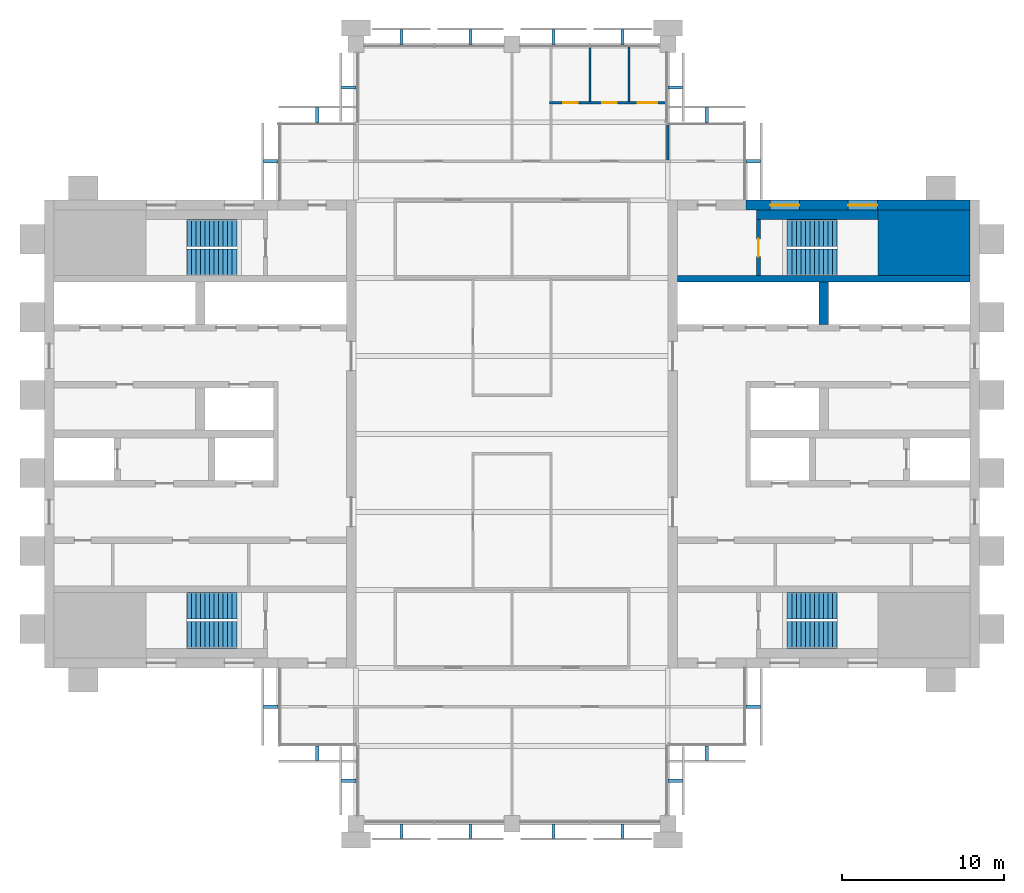
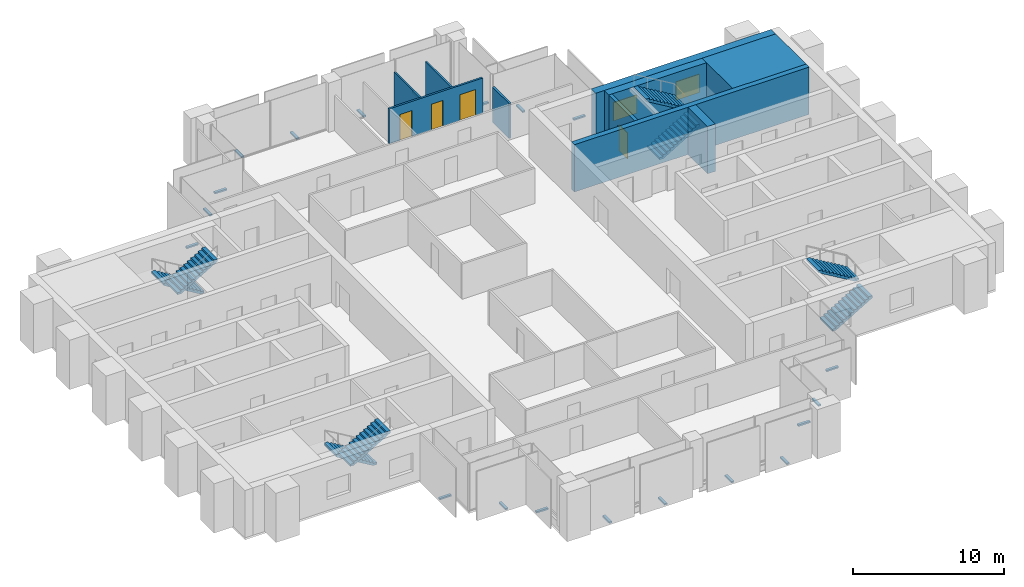
# One storey, part 11 of 12: 20 discrete accessories, 10 walls, 8 stair flights, 4 doors, 2 windows, 6 openings, 4 elements without a shape of their own.
"""IFC4 building model written with IfcOpenShell, lengths in metres."""

from ifc_helpers import new_model, si_unit, direction, frame, frame_2d, origin, origin_2d, place, context, subcontext, project, spatial, polyline, rectangle, outline, extrude, material, layer, layer_set, type_object, element, fill, aggregate, save


model = new_model("IFC4")

# Units and contexts
model_context = context("Model", 3, precision=1e-05, world=origin(), true_north=direction((0.0, 1.0)))
body_context = subcontext(model_context, "Body", "Model", "MODEL_VIEW")
ifc_project = project(units=[si_unit("LENGTHUNIT", "METRE"), si_unit("AREAUNIT", "SQUARE_METRE"), si_unit("VOLUMEUNIT", "CUBIC_METRE"), si_unit("PLANEANGLEUNIT", "RADIAN"), si_unit("MASSUNIT", "GRAM", prefix="KILO")], contexts=[model_context])

# Site, building, storey
site_placement = place(None, origin())
site = spatial("IfcSite", under=ifc_project, at=site_placement, CompositionType="ELEMENT")
building_placement = place(site_placement, origin())
building = spatial("IfcBuilding", under=site, at=building_placement, Name="Baori Bourse Tower", CompositionType="ELEMENT")
storey_placement = place(building_placement, frame((0.0, 0.0, 298.300048828125)))
storey = spatial("IfcBuildingStorey", under=building, at=storey_placement, Name="L65", CompositionType="ELEMENT", Elevation=298.300048828125)

# Wall
ifc_material_1 = material(Name="Concrete f'c 40 MPa", Category="concrete")
wall_type_1 = type_object("IfcWallType", Name="Core corner block f'c 40", PredefinedType="SHEAR", material=ifc_material_1)
wall_1_placement = place(storey_placement, frame((51.35009765625, 35.77490234375, 0.0), z_axis=(0.0, 0.0, 1.0), x_axis=(1.0, 0.0, 0.0)))
element("IfcWall", 1, at=wall_1_placement, inside=storey, type_object=wall_type_1, Name="Core wall E22", PredefinedType="SHEAR", context=body_context, shape_type="SweptSolid", body=[
    extrude(rectangle(XDim=5.64990234375, YDim=4.050048828125, at=frame_2d((2.824951171875, 0.0))), origin(), (0.0, 0.0, 1.0), 3.83984375),
])

# Wall, openings, windows
ifc_material_2 = material(Name="Concrete f'c 40 MPa", Category="concrete")
ifc_layer_1 = layer(ifc_material_2, 0.60009765625)
ifc_layer_set_1 = layer_set([ifc_layer_1], Name="Core wall 600 f'c 40")
wall_type_2 = type_object("IfcWallType", Name="Core wall 600 f'c 40", PredefinedType="SHEAR", material=ifc_layer_set_1)
wall_2_placement = place(storey_placement, frame((43.199951171875, 38.10009765625, 0.0), z_axis=(0.0, 0.0, 1.0), x_axis=(1.0, 0.0, 0.0)))
wall_2 = element("IfcWall", 2, at=wall_2_placement, inside=storey, type_object=wall_type_2, Name="Core wall E25", PredefinedType="SHEAR", context=body_context, shape_type="SweptSolid", body=[
    extrude(rectangle(XDim=13.800048828125, YDim=0.60009765625, at=frame_2d((6.89990234375, 0.0))), origin(), (0.0, 0.0, 1.0), 3.83984375),
])
opening_1_placement = place(wall_2_placement, frame((6.300048828125, 0.0, 0.89990234375)))
opening_1 = element("IfcOpeningElement", 3, at=opening_1_placement, cuts=wall_2, Name="Opening L65-KW205", PredefinedType="OPENING", context=body_context, shape_type="SweptSolid", body=[
    extrude(rectangle(XDim=1.800048828125, YDim=1.5, at=frame_2d((0.89990234375, 0.75))), frame((0.0, 0.31005859375, 0.0), z_axis=(0.0, -1.0, 0.0), x_axis=(1.0, 0.0, 0.0)), (0.0, 0.0, 1.0), 0.6201171875),
])
opening_2_placement = place(wall_2_placement, frame((1.5, 0.0, 0.89990234375)))
opening_2 = element("IfcOpeningElement", 4, at=opening_2_placement, cuts=wall_2, Name="Opening L65-KW206", PredefinedType="OPENING", context=body_context, shape_type="SweptSolid", body=[
    extrude(rectangle(XDim=1.800048828125, YDim=1.5, at=frame_2d((0.89990234375, 0.75))), frame((0.0, 0.31005859375, 0.0), z_axis=(0.0, -1.0, 0.0), x_axis=(1.0, 0.0, 0.0)), (0.0, 0.0, 1.0), 0.6201171875),
])
ifc_material_3 = material(Name="Pale anodised aluminium", Category="aluminium")
window_type = type_object("IfcWindowType", Name="Stair window 1800 x 1500", PartitioningType="SINGLE_PANEL", PredefinedType="WINDOW", material=ifc_material_3)
window_1_placement = place(opening_1_placement, origin())
window_1 = element("IfcWindow", 5, at=window_1_placement, inside=storey, type_object=window_type, Name="Stair window E L65 5", OverallHeight=1.5, OverallWidth=1.800048828125, PartitioningType="SINGLE_PANEL", PredefinedType="WINDOW", context=body_context, shape_type="SweptSolid", body=[
    extrude(rectangle(XDim=1.800048828125, YDim=1.5, at=frame_2d((0.89990234375, 0.75))), frame((0.0, 0.030029296875, 0.0), z_axis=(0.0, -1.0, 0.0), x_axis=(1.0, 0.0, 0.0)), (0.0, 0.0, 1.0), 0.06005859375),
])
fill(opening_1, window_1)
window_2_placement = place(opening_2_placement, origin())
window_2 = element("IfcWindow", 6, at=window_2_placement, inside=storey, type_object=window_type, Name="Stair window E L65 6", OverallHeight=1.5, OverallWidth=1.800048828125, PartitioningType="SINGLE_PANEL", PredefinedType="WINDOW", context=body_context, shape_type="SweptSolid", body=[
    extrude(rectangle(XDim=1.800048828125, YDim=1.5, at=frame_2d((0.89990234375, 0.75))), frame((0.0, 0.030029296875, 0.0), z_axis=(0.0, -1.0, 0.0), x_axis=(1.0, 0.0, 0.0)), (0.0, 0.0, 1.0), 0.06005859375),
])
fill(opening_2, window_2)

# Wall, openings, doors
ifc_material_4 = material(Name="Gypsum board partition")
ifc_layer_2 = layer(ifc_material_4, 0.14990234375)
ifc_layer_set_2 = layer_set([ifc_layer_2], Name="Corridor partition 150")
wall_type_3 = type_object("IfcWallType", Name="Corridor partition 150", PredefinedType="PARTITIONING", material=ifc_layer_set_2)
wall_3_placement = place(storey_placement, frame((31.125, 44.39990234375, 0.0), z_axis=(0.0, 0.0, 1.0), x_axis=(1.0, 0.0, 0.0)))
wall_3 = element("IfcWall", 7, at=wall_3_placement, inside=storey, type_object=wall_type_3, Name="Partition", PredefinedType="PARTITIONING", context=body_context, shape_type="SweptSolid", body=[
    extrude(rectangle(XDim=7.175048828125, YDim=0.14990234375, at=frame_2d((3.58740234375, 0.0))), origin(), (0.0, 0.0, 1.0), 2.849365234375),
])
opening_3_placement = place(wall_3_placement, frame((0.824951171875, 0.0, 0.0)))
opening_3 = element("IfcOpeningElement", 8, at=opening_3_placement, cuts=wall_3, Name="Opening L65-D13", PredefinedType="OPENING", context=body_context, shape_type="SweptSolid", body=[
    extrude(rectangle(XDim=0.89990234375, YDim=2.10009765625, at=frame_2d((0.449951171875, 1.050048828125))), frame((0.0, 0.0849609375, 0.0), z_axis=(0.0, -1.0, 0.0), x_axis=(1.0, 0.0, 0.0)), (0.0, 0.0, 1.0), 0.169921875),
])
opening_4_placement = place(wall_3_placement, frame((3.22509765625, 0.0, 0.0)))
opening_4 = element("IfcOpeningElement", 9, at=opening_4_placement, cuts=wall_3, Name="Opening L65-D14", PredefinedType="OPENING", context=body_context, shape_type="SweptSolid", body=[
    extrude(rectangle(XDim=0.89990234375, YDim=2.10009765625, at=frame_2d((0.449951171875, 1.050048828125))), frame((0.0, 0.0849609375, 0.0), z_axis=(0.0, -1.0, 0.0), x_axis=(1.0, 0.0, 0.0)), (0.0, 0.0, 1.0), 0.169921875),
])
opening_5_placement = place(wall_3_placement, frame((5.425048828125, 0.0, 0.0)))
opening_5 = element("IfcOpeningElement", 10, at=opening_5_placement, cuts=wall_3, Name="Opening L65-D15", PredefinedType="OPENING", context=body_context, shape_type="SweptSolid", body=[
    extrude(rectangle(XDim=1.199951171875, YDim=2.10009765625, at=frame_2d((0.60009765625, 1.050048828125))), frame((0.0, 0.0849609375, 0.0), z_axis=(0.0, -1.0, 0.0), x_axis=(1.0, 0.0, 0.0)), (0.0, 0.0, 1.0), 0.169921875),
])
ifc_material_5 = material(Name="Timber door leaf", Category="wood")
door_type_1 = type_object("IfcDoorType", Name="Door 1200 x 2100", OperationType="SINGLE_SWING_LEFT", PredefinedType="DOOR", material=ifc_material_5)
door_1_placement = place(opening_5_placement, origin())
door_1 = element("IfcDoor", 11, at=door_1_placement, inside=storey, type_object=door_type_1, Name="Door", OperationType="SINGLE_SWING_LEFT", OverallHeight=2.10009765625, OverallWidth=1.199951171875, PredefinedType="DOOR", context=body_context, shape_type="SweptSolid", body=[
    extrude(rectangle(XDim=1.199951171875, YDim=2.10009765625, at=frame_2d((0.60009765625, 1.050048828125))), frame((0.0, 0.02490234375, 0.0), z_axis=(0.0, -1.0, 0.0), x_axis=(1.0, 0.0, 0.0)), (0.0, 0.0, 1.0), 0.050048828125),
])
fill(opening_5, door_1)
ifc_material_6 = material(Name="Timber door leaf", Category="wood")
door_type_2 = type_object("IfcDoorType", Name="Door 900 x 2100", OperationType="SINGLE_SWING_LEFT", PredefinedType="DOOR", material=ifc_material_6)
door_2_placement = place(opening_3_placement, origin())
door_2 = element("IfcDoor", 12, at=door_2_placement, inside=storey, type_object=door_type_2, Name="Door", OperationType="SINGLE_SWING_RIGHT", OverallHeight=2.10009765625, OverallWidth=0.89990234375, PredefinedType="DOOR", context=body_context, shape_type="SweptSolid", body=[
    extrude(rectangle(XDim=0.89990234375, YDim=2.10009765625, at=frame_2d((0.449951171875, 1.050048828125))), frame((0.0, 0.02490234375, 0.0), z_axis=(0.0, -1.0, 0.0), x_axis=(1.0, 0.0, 0.0)), (0.0, 0.0, 1.0), 0.050048828125),
])
fill(opening_3, door_2)
door_3_placement = place(opening_4_placement, origin())
door_3 = element("IfcDoor", 13, at=door_3_placement, inside=storey, type_object=door_type_2, Name="Door", OperationType="SINGLE_SWING_LEFT", OverallHeight=2.10009765625, OverallWidth=0.89990234375, PredefinedType="DOOR", context=body_context, shape_type="SweptSolid", body=[
    extrude(rectangle(XDim=0.89990234375, YDim=2.10009765625, at=frame_2d((0.449951171875, 1.050048828125))), frame((0.0, 0.02490234375, 0.0), z_axis=(0.0, -1.0, 0.0), x_axis=(1.0, 0.0, 0.0)), (0.0, 0.0, 1.0), 0.050048828125),
])
fill(opening_4, door_3)

# Walls
wall_4_placement = place(storey_placement, frame((38.39990234375, 40.875, 0.0), z_axis=(0.0, 0.0, 1.0), x_axis=(0.0, 1.0, 0.0)))
element("IfcWall", 14, at=wall_4_placement, inside=storey, type_object=wall_type_3, Name="Partition", PredefinedType="PARTITIONING", context=body_context, shape_type="SweptSolid", body=[
    extrude(rectangle(XDim=2.22509765625, YDim=0.14990234375, at=frame_2d((1.112548828125, 0.0))), origin(), (0.0, 0.0, 1.0), 2.849365234375),
])
ifc_material_7 = material(Name="Gypsum board partition")
ifc_layer_3 = layer(ifc_material_7, 0.125)
ifc_layer_set_3 = layer_set([ifc_layer_3], Name="Partition 125")
wall_type_4 = type_object("IfcWallType", Name="Partition 125", PredefinedType="PARTITIONING", material=ifc_layer_set_3)
for number, where, z_axis, x_axis, name in (
    (15, (33.60009765625, 44.47509765625, 0.0), (0.0, 0.0, 1.0), (0.0, 1.0, 0.0), "Partition"),
    (16, (36.0, 44.47509765625, 0.0), (0.0, 0.0, 1.0), (0.0, 1.0, 0.0), "Partition"),
):
    element("IfcWall", number, at=place(storey_placement, frame(where, z_axis=z_axis, x_axis=x_axis)), inside=storey, type_object=wall_type_4, Name=name, PredefinedType="PARTITIONING", context=body_context, shape_type="SweptSolid", body=[
        extrude(rectangle(XDim=3.4248046875, YDim=0.125, at=frame_2d((1.71240234375, 0.0))), origin(), (0.0, 0.0, 1.0), 2.849365234375),
    ])

# Wall, opening, door
ifc_material_8 = material(Name="Concrete f'c 40 MPa", Category="concrete")
ifc_layer_4 = layer(ifc_material_8, 0.25)
ifc_layer_set_4 = layer_set([ifc_layer_4], Name="Shaft wall 250 f'c 40")
wall_type_5 = type_object("IfcWallType", Name="Shaft wall 250 f'c 40", PredefinedType="SHEAR", material=ifc_layer_set_4)
wall_5_placement = place(storey_placement, frame((43.97509765625, 33.75, 0.0), z_axis=(0.0, 0.0, 1.0), x_axis=(0.0, 1.0, 0.0)))
wall_5 = element("IfcWall", 17, at=wall_5_placement, inside=storey, type_object=wall_type_5, Name="Core wall E23", PredefinedType="SHEAR", context=body_context, shape_type="SweptSolid", body=[
    extrude(rectangle(XDim=3.449951171875, YDim=0.25, at=frame_2d((1.72509765625, 0.0))), origin(), (0.0, 0.0, 1.0), 3.83984375),
])
opening_6_placement = place(wall_5_placement, frame((1.175048828125, 0.0, 0.0)))
opening_6 = element("IfcOpeningElement", 18, at=opening_6_placement, cuts=wall_5, Name="Opening L65-D203", PredefinedType="OPENING", context=body_context, shape_type="SweptSolid", body=[
    extrude(rectangle(XDim=1.10009765625, YDim=2.10009765625, at=frame_2d((0.550048828125, 1.050048828125))), frame((0.0, 0.135009765625, 0.0), z_axis=(0.0, -1.0, 0.0), x_axis=(1.0, 0.0, 0.0)), (0.0, 0.0, 1.0), 0.27001953125),
])
ifc_material_9 = material(Name="Painted steel door", Category="steel")
door_type_3 = type_object("IfcDoorType", Name="Stair door 1100", OperationType="SINGLE_SWING_LEFT", PredefinedType="DOOR", material=ifc_material_9)
door_4_placement = place(opening_6_placement, origin())
door_4 = element("IfcDoor", 19, at=door_4_placement, inside=storey, type_object=door_type_3, Name="Stair door B E L65", OperationType="SINGLE_SWING_LEFT", OverallHeight=2.10009765625, OverallWidth=1.10009765625, PredefinedType="DOOR", context=body_context, shape_type="SweptSolid", body=[
    extrude(rectangle(XDim=1.10009765625, YDim=2.10009765625, at=frame_2d((0.550048828125, 1.050048828125))), frame((0.0, 0.02490234375, 0.0), z_axis=(0.0, -1.0, 0.0), x_axis=(1.0, 0.0, 0.0)), (0.0, 0.0, 1.0), 0.050048828125),
])
fill(opening_6, door_4)

# Walls
ifc_material_10 = material(Name="Concrete f'c 40 MPa", Category="concrete")
ifc_layer_5 = layer(ifc_material_10, 0.39990234375)
ifc_layer_set_5 = layer_set([ifc_layer_5], Name="Shaft wall 400 f'c 40")
wall_type_6 = type_object("IfcWallType", Name="Shaft wall 400 f'c 40", PredefinedType="SHEAR", material=ifc_layer_set_5)
wall_6_placement = place(storey_placement, frame((39.0, 33.550048828125, 0.0), z_axis=(0.0, 0.0, 1.0), x_axis=(1.0, 0.0, 0.0)))
element("IfcWall", 20, at=wall_6_placement, inside=storey, type_object=wall_type_6, Name="Core wall E21", PredefinedType="SHEAR", context=body_context, shape_type="SweptSolid", body=[
    extrude(rectangle(XDim=18.0, YDim=0.39990234375, at=frame_2d((9.0, 0.0))), origin(), (0.0, 0.0, 1.0), 3.83984375),
])
ifc_material_11 = material(Name="Concrete f'c 40 MPa", Category="concrete")
ifc_layer_6 = layer(ifc_material_11, 0.60009765625)
ifc_layer_set_6 = layer_set([ifc_layer_6], Name="Shaft wall 600 f'c 40")
wall_type_7 = type_object("IfcWallType", Name="Shaft wall 600 f'c 40", PredefinedType="SHEAR", material=ifc_layer_set_6)
wall_7_placement = place(storey_placement, frame((48.0, 30.75, 0.0), z_axis=(0.0, 0.0, 1.0), x_axis=(0.0, 1.0, 0.0)))
element("IfcWall", 21, at=wall_7_placement, inside=storey, type_object=wall_type_7, Name="Core wall E20", PredefinedType="SHEAR", context=body_context, shape_type="SweptSolid", body=[
    extrude(rectangle(XDim=2.60009765625, YDim=0.60009765625, at=frame_2d((1.300048828125, 0.0))), origin(), (0.0, 0.0, 1.0), 3.83984375),
])
wall_8_placement = place(storey_placement, frame((43.85009765625, 37.5, 0.0), z_axis=(0.0, 0.0, 1.0), x_axis=(1.0, 0.0, 0.0)))
element("IfcWall", 22, at=wall_8_placement, inside=storey, type_object=wall_type_7, Name="Core wall E24", PredefinedType="SHEAR", context=body_context, shape_type="SweptSolid", body=[
    extrude(rectangle(XDim=7.5, YDim=0.60009765625, at=frame_2d((3.75, 0.0))), origin(), (0.0, 0.0, 1.0), 3.83984375),
])

# Stair, stair flights
ifc_material_12 = material(Name="Concrete f'c 50 MPa", Category="concrete")
stair_type = type_object("IfcStairType", Name="Core stair", PredefinedType="HALF_TURN_STAIR", material=ifc_material_12)
stair_1_placement = place(storey_placement, origin())
stair_1 = element("IfcStair", 23, at=stair_1_placement, inside=storey, type_object=stair_type, Name="L65 Stair WA", PredefinedType="HALF_TURN_STAIR")
ifc_material_13 = material(Name="Concrete f'c 50 MPa", Category="concrete")
stair_flight_type = type_object("IfcStairFlightType", Name="Core stair flight", PredefinedType="STRAIGHT", material=ifc_material_13)
stair_flight_1_placement = place(storey_placement, frame((11.85009765625, 13.425048828125, 0.0), z_axis=(0.0, 0.0, 1.0), x_axis=(-1.0, 0.0, 0.0)))
stair_flight_1 = element("IfcStairFlight", 24, at=stair_flight_1_placement, type_object=stair_flight_type, Name="ST1 flight 1", NumberOfRisers=12, NumberOfTreads=11, PredefinedType="STRAIGHT", RiserHeight=0.166666667, TreadLength=0.28, context=body_context, shape_type="SweptSolid", body=[
    extrude(outline(polyline([(0.0, 0.0), (0.0, 0.166748046875), (0.280029296875, 0.166748046875), (0.280029296875, 0.333251953125), (0.56005859375, 0.333251953125), (0.56005859375, 0.5), (0.840087890625, 0.5), (0.840087890625, 0.666748046875), (1.1201171875, 0.666748046875), (1.1201171875, 0.833251953125), (1.39990234375, 0.833251953125), (1.39990234375, 1.0), (1.679931640625, 1.0), (1.679931640625, 1.166748046875), (1.9599609375, 1.166748046875), (1.9599609375, 1.333251953125), (2.239990234375, 1.333251953125), (2.239990234375, 1.5), (2.52001953125, 1.5), (2.52001953125, 1.666748046875), (2.800048828125, 1.666748046875), (2.800048828125, 1.833251953125), (3.080078125, 1.833251953125), (3.080078125, 2.0), (3.080078125, 1.658935546875), (0.29296875, 0.0), (0.0, 0.0)])), frame((0.0, 0.824951171875, 0.0), z_axis=(0.0, -1.0, 0.0), x_axis=(1.0, 0.0, 0.0)), (0.0, 0.0, 1.0), 1.64990234375),
])
stair_flight_2_placement = place(storey_placement, frame((8.77001953125, 11.625, 2.0), z_axis=(0.0, 0.0, 1.0), x_axis=(1.0, 0.0, 0.0)))
stair_flight_2 = element("IfcStairFlight", 25, at=stair_flight_2_placement, type_object=stair_flight_type, Name="ST1 flight 2", NumberOfRisers=12, NumberOfTreads=11, PredefinedType="STRAIGHT", RiserHeight=0.166666667, TreadLength=0.28, context=body_context, shape_type="SweptSolid", body=[
    extrude(outline(polyline([(0.0, 0.0), (0.0, 0.166748046875), (0.280029296875, 0.166748046875), (0.280029296875, 0.333251953125), (0.56005859375, 0.333251953125), (0.56005859375, 0.5), (0.840087890625, 0.5), (0.840087890625, 0.666748046875), (1.1201171875, 0.666748046875), (1.1201171875, 0.833251953125), (1.39990234375, 0.833251953125), (1.39990234375, 1.0), (1.679931640625, 1.0), (1.679931640625, 1.166748046875), (1.9599609375, 1.166748046875), (1.9599609375, 1.333251953125), (2.239990234375, 1.333251953125), (2.239990234375, 1.5), (2.52001953125, 1.5), (2.52001953125, 1.666748046875), (2.800048828125, 1.666748046875), (2.800048828125, 1.833251953125), (3.080078125, 1.833251953125), (3.080078125, 2.0), (3.080078125, 1.658935546875), (0.29296875, 0.0), (0.0, 0.0)])), frame((0.0, 0.824951171875, 0.0), z_axis=(0.0, -1.0, 0.0), x_axis=(1.0, 0.0, 0.0)), (0.0, 0.0, 1.0), 1.64990234375),
])
aggregate(stair_1, [stair_flight_1, stair_flight_2])

stair_2_placement = place(storey_placement, origin())
stair_2 = element("IfcStair", 26, at=stair_2_placement, inside=storey, type_object=stair_type, Name="L65 Stair WB", PredefinedType="HALF_TURN_STAIR")
stair_flight_3_placement = place(storey_placement, frame((11.85009765625, 36.375, 0.0), z_axis=(0.0, 0.0, 1.0), x_axis=(-1.0, 0.0, 0.0)))
stair_flight_3 = element("IfcStairFlight", 27, at=stair_flight_3_placement, type_object=stair_flight_type, Name="ST2 flight 1", NumberOfRisers=12, NumberOfTreads=11, PredefinedType="STRAIGHT", RiserHeight=0.166666667, TreadLength=0.28, context=body_context, shape_type="SweptSolid", body=[
    extrude(outline(polyline([(0.0, 0.0), (0.0, 0.166748046875), (0.280029296875, 0.166748046875), (0.280029296875, 0.333251953125), (0.56005859375, 0.333251953125), (0.56005859375, 0.5), (0.840087890625, 0.5), (0.840087890625, 0.666748046875), (1.1201171875, 0.666748046875), (1.1201171875, 0.833251953125), (1.39990234375, 0.833251953125), (1.39990234375, 1.0), (1.679931640625, 1.0), (1.679931640625, 1.166748046875), (1.9599609375, 1.166748046875), (1.9599609375, 1.333251953125), (2.239990234375, 1.333251953125), (2.239990234375, 1.5), (2.52001953125, 1.5), (2.52001953125, 1.666748046875), (2.800048828125, 1.666748046875), (2.800048828125, 1.833251953125), (3.080078125, 1.833251953125), (3.080078125, 2.0), (3.080078125, 1.658935546875), (0.29296875, 0.0), (0.0, 0.0)])), frame((0.0, 0.824951171875, 0.0), z_axis=(0.0, -1.0, 0.0), x_axis=(1.0, 0.0, 0.0)), (0.0, 0.0, 1.0), 1.64990234375),
])
stair_flight_4_placement = place(storey_placement, frame((8.77001953125, 34.574951171875, 2.0), z_axis=(0.0, 0.0, 1.0), x_axis=(1.0, 0.0, 0.0)))
stair_flight_4 = element("IfcStairFlight", 28, at=stair_flight_4_placement, type_object=stair_flight_type, Name="ST2 flight 2", NumberOfRisers=12, NumberOfTreads=11, PredefinedType="STRAIGHT", RiserHeight=0.166666667, TreadLength=0.28, context=body_context, shape_type="SweptSolid", body=[
    extrude(outline(polyline([(0.0, 0.0), (0.0, 0.166748046875), (0.280029296875, 0.166748046875), (0.280029296875, 0.333251953125), (0.56005859375, 0.333251953125), (0.56005859375, 0.5), (0.840087890625, 0.5), (0.840087890625, 0.666748046875), (1.1201171875, 0.666748046875), (1.1201171875, 0.833251953125), (1.39990234375, 0.833251953125), (1.39990234375, 1.0), (1.679931640625, 1.0), (1.679931640625, 1.166748046875), (1.9599609375, 1.166748046875), (1.9599609375, 1.333251953125), (2.239990234375, 1.333251953125), (2.239990234375, 1.5), (2.52001953125, 1.5), (2.52001953125, 1.666748046875), (2.800048828125, 1.666748046875), (2.800048828125, 1.833251953125), (3.080078125, 1.833251953125), (3.080078125, 2.0), (3.080078125, 1.658935546875), (0.29296875, 0.0), (0.0, 0.0)])), frame((0.0, 0.824951171875, 0.0), z_axis=(0.0, -1.0, 0.0), x_axis=(1.0, 0.0, 0.0)), (0.0, 0.0, 1.0), 1.64990234375),
])
aggregate(stair_2, [stair_flight_3, stair_flight_4])

stair_3_placement = place(storey_placement, origin())
stair_3 = element("IfcStair", 29, at=stair_3_placement, inside=storey, type_object=stair_type, Name="L65 Stair EA", PredefinedType="HALF_TURN_STAIR")
stair_flight_5_placement = place(storey_placement, frame((45.75, 11.625, 0.0), z_axis=(0.0, 0.0, 1.0), x_axis=(1.0, 0.0, 0.0)))
stair_flight_5 = element("IfcStairFlight", 30, at=stair_flight_5_placement, type_object=stair_flight_type, Name="ST3 flight 1", NumberOfRisers=12, NumberOfTreads=11, PredefinedType="STRAIGHT", RiserHeight=0.166666667, TreadLength=0.28, context=body_context, shape_type="SweptSolid", body=[
    extrude(outline(polyline([(0.0, 0.0), (0.0, 0.166748046875), (0.280029296875, 0.166748046875), (0.280029296875, 0.333251953125), (0.56005859375, 0.333251953125), (0.56005859375, 0.5), (0.840087890625, 0.5), (0.840087890625, 0.666748046875), (1.1201171875, 0.666748046875), (1.1201171875, 0.833251953125), (1.39990234375, 0.833251953125), (1.39990234375, 1.0), (1.679931640625, 1.0), (1.679931640625, 1.166748046875), (1.9599609375, 1.166748046875), (1.9599609375, 1.333251953125), (2.239990234375, 1.333251953125), (2.239990234375, 1.5), (2.52001953125, 1.5), (2.52001953125, 1.666748046875), (2.800048828125, 1.666748046875), (2.800048828125, 1.833251953125), (3.080078125, 1.833251953125), (3.080078125, 2.0), (3.080078125, 1.658935546875), (0.29296875, 0.0), (0.0, 0.0)])), frame((0.0, 0.824951171875, 0.0), z_axis=(0.0, -1.0, 0.0), x_axis=(1.0, 0.0, 0.0)), (0.0, 0.0, 1.0), 1.64990234375),
])
stair_flight_6_placement = place(storey_placement, frame((48.830078125, 13.425048828125, 2.0), z_axis=(0.0, 0.0, 1.0), x_axis=(-1.0, 0.0, 0.0)))
stair_flight_6 = element("IfcStairFlight", 31, at=stair_flight_6_placement, type_object=stair_flight_type, Name="ST3 flight 2", NumberOfRisers=12, NumberOfTreads=11, PredefinedType="STRAIGHT", RiserHeight=0.166666667, TreadLength=0.28, context=body_context, shape_type="SweptSolid", body=[
    extrude(outline(polyline([(0.0, 0.0), (0.0, 0.166748046875), (0.280029296875, 0.166748046875), (0.280029296875, 0.333251953125), (0.56005859375, 0.333251953125), (0.56005859375, 0.5), (0.840087890625, 0.5), (0.840087890625, 0.666748046875), (1.1201171875, 0.666748046875), (1.1201171875, 0.833251953125), (1.39990234375, 0.833251953125), (1.39990234375, 1.0), (1.679931640625, 1.0), (1.679931640625, 1.166748046875), (1.9599609375, 1.166748046875), (1.9599609375, 1.333251953125), (2.239990234375, 1.333251953125), (2.239990234375, 1.5), (2.52001953125, 1.5), (2.52001953125, 1.666748046875), (2.800048828125, 1.666748046875), (2.800048828125, 1.833251953125), (3.080078125, 1.833251953125), (3.080078125, 2.0), (3.080078125, 1.658935546875), (0.29296875, 0.0), (0.0, 0.0)])), frame((0.0, 0.824951171875, 0.0), z_axis=(0.0, -1.0, 0.0), x_axis=(1.0, 0.0, 0.0)), (0.0, 0.0, 1.0), 1.64990234375),
])
aggregate(stair_3, [stair_flight_5, stair_flight_6])

stair_4_placement = place(storey_placement, origin())
stair_4 = element("IfcStair", 32, at=stair_4_placement, inside=storey, type_object=stair_type, Name="L65 Stair EB", PredefinedType="HALF_TURN_STAIR")
stair_flight_7_placement = place(storey_placement, frame((45.75, 34.574951171875, 0.0), z_axis=(0.0, 0.0, 1.0), x_axis=(1.0, 0.0, 0.0)))
stair_flight_7 = element("IfcStairFlight", 33, at=stair_flight_7_placement, type_object=stair_flight_type, Name="ST4 flight 1", NumberOfRisers=12, NumberOfTreads=11, PredefinedType="STRAIGHT", RiserHeight=0.166666667, TreadLength=0.28, context=body_context, shape_type="SweptSolid", body=[
    extrude(outline(polyline([(0.0, 0.0), (0.0, 0.166748046875), (0.280029296875, 0.166748046875), (0.280029296875, 0.333251953125), (0.56005859375, 0.333251953125), (0.56005859375, 0.5), (0.840087890625, 0.5), (0.840087890625, 0.666748046875), (1.1201171875, 0.666748046875), (1.1201171875, 0.833251953125), (1.39990234375, 0.833251953125), (1.39990234375, 1.0), (1.679931640625, 1.0), (1.679931640625, 1.166748046875), (1.9599609375, 1.166748046875), (1.9599609375, 1.333251953125), (2.239990234375, 1.333251953125), (2.239990234375, 1.5), (2.52001953125, 1.5), (2.52001953125, 1.666748046875), (2.800048828125, 1.666748046875), (2.800048828125, 1.833251953125), (3.080078125, 1.833251953125), (3.080078125, 2.0), (3.080078125, 1.658935546875), (0.29296875, 0.0), (0.0, 0.0)])), frame((0.0, 0.824951171875, 0.0), z_axis=(0.0, -1.0, 0.0), x_axis=(1.0, 0.0, 0.0)), (0.0, 0.0, 1.0), 1.64990234375),
])
stair_flight_8_placement = place(storey_placement, frame((48.830078125, 36.375, 2.0), z_axis=(0.0, 0.0, 1.0), x_axis=(-1.0, 0.0, 0.0)))
stair_flight_8 = element("IfcStairFlight", 34, at=stair_flight_8_placement, type_object=stair_flight_type, Name="ST4 flight 2", NumberOfRisers=12, NumberOfTreads=11, PredefinedType="STRAIGHT", RiserHeight=0.166666667, TreadLength=0.28, context=body_context, shape_type="SweptSolid", body=[
    extrude(outline(polyline([(0.0, 0.0), (0.0, 0.166748046875), (0.280029296875, 0.166748046875), (0.280029296875, 0.333251953125), (0.56005859375, 0.333251953125), (0.56005859375, 0.5), (0.840087890625, 0.5), (0.840087890625, 0.666748046875), (1.1201171875, 0.666748046875), (1.1201171875, 0.833251953125), (1.39990234375, 0.833251953125), (1.39990234375, 1.0), (1.679931640625, 1.0), (1.679931640625, 1.166748046875), (1.9599609375, 1.166748046875), (1.9599609375, 1.333251953125), (2.239990234375, 1.333251953125), (2.239990234375, 1.5), (2.52001953125, 1.5), (2.52001953125, 1.666748046875), (2.800048828125, 1.666748046875), (2.800048828125, 1.833251953125), (3.080078125, 1.833251953125), (3.080078125, 2.0), (3.080078125, 1.658935546875), (0.29296875, 0.0), (0.0, 0.0)])), frame((0.0, 0.824951171875, 0.0), z_axis=(0.0, -1.0, 0.0), x_axis=(1.0, 0.0, 0.0)), (0.0, 0.0, 1.0), 1.64990234375),
])
aggregate(stair_4, [stair_flight_7, stair_flight_8])

# Discrete accessories
ifc_material_14 = material(Name="Pale anodised aluminium", Category="aluminium")
discrete_accessory_type = type_object("IfcDiscreteAccessoryType", Name="OS2 Outer skin bracket", PredefinedType="BRACKET", material=ifc_material_14)
for number, where, z_axis, x_axis, name in (
    (35, (43.64990234375, 40.800048828125, -0.14404296875), (0.0, 0.0, 1.0), (0.0, 1.0, 0.0), "Outer skin bracket L65 1"),
    (36, (40.800048828125, 43.64990234375, -0.14404296875), (0.0, 0.0, 1.0), (-1.0, 0.0, 0.0), "Outer skin bracket L65 2"),
    (37, (38.85009765625, 45.35009765625, -0.14404296875), (0.0, 0.0, 1.0), (0.0, 1.0, 0.0), "Outer skin bracket L65 3"),
    (38, (35.612548828125, 48.449951171875, -0.14404296875), (0.0, 0.0, 1.0), (-1.0, 0.0, 0.0), "Outer skin bracket L65 4"),
    (39, (31.362548828125, 48.449951171875, -0.14404296875), (0.0, 0.0, 1.0), (-1.0, 0.0, 0.0), "Outer skin bracket L65 5"),
    (40, (26.237548828125, 48.449951171875, -0.14404296875), (0.0, 0.0, 1.0), (-1.0, 0.0, 0.0), "Outer skin bracket L65 6"),
    (41, (21.987548828125, 48.449951171875, -0.14404296875), (0.0, 0.0, 1.0), (-1.0, 0.0, 0.0), "Outer skin bracket L65 7"),
    (42, (18.75, 45.35009765625, -0.14404296875), (0.0, 0.0, 1.0), (0.0, -1.0, 0.0), "Outer skin bracket L65 8"),
    (43, (16.800048828125, 43.64990234375, -0.14404296875), (0.0, 0.0, 1.0), (-1.0, 0.0, 0.0), "Outer skin bracket L65 9"),
    (44, (13.949951171875, 40.800048828125, -0.14404296875), (0.0, 0.0, 1.0), (0.0, -1.0, 0.0), "Outer skin bracket L65 10"),
    (45, (13.949951171875, 7.199951171875, -0.14404296875), (0.0, 0.0, 1.0), (0.0, -1.0, 0.0), "Outer skin bracket L65 11"),
    (46, (16.800048828125, 4.35009765625, -0.14404296875), (0.0, 0.0, 1.0), (1.0, 0.0, 0.0), "Outer skin bracket L65 12"),
    (47, (18.75, 2.64990234375, -0.14404296875), (0.0, 0.0, 1.0), (0.0, -1.0, 0.0), "Outer skin bracket L65 13"),
    (48, (21.987548828125, -0.449951171875, -0.14404296875), (0.0, 0.0, 1.0), (1.0, 0.0, 0.0), "Outer skin bracket L65 14"),
    (49, (26.237548828125, -0.449951171875, -0.14404296875), (0.0, 0.0, 1.0), (1.0, 0.0, 0.0), "Outer skin bracket L65 15"),
    (50, (31.362548828125, -0.449951171875, -0.14404296875), (0.0, 0.0, 1.0), (1.0, 0.0, 0.0), "Outer skin bracket L65 16"),
    (51, (35.612548828125, -0.449951171875, -0.14404296875), (0.0, 0.0, 1.0), (1.0, 0.0, 0.0), "Outer skin bracket L65 17"),
    (52, (38.85009765625, 2.64990234375, -0.14404296875), (0.0, 0.0, 1.0), (0.0, 1.0, 0.0), "Outer skin bracket L65 18"),
    (53, (40.800048828125, 4.35009765625, -0.14404296875), (0.0, 0.0, 1.0), (1.0, 0.0, 0.0), "Outer skin bracket L65 19"),
    (54, (43.64990234375, 7.199951171875, -0.14404296875), (0.0, 0.0, 1.0), (0.0, 1.0, 0.0), "Outer skin bracket L65 20"),
):
    element("IfcDiscreteAccessory", number, at=place(storey_placement, frame(where, z_axis=z_axis, x_axis=x_axis)), inside=storey, type_object=discrete_accessory_type, Name=name, PredefinedType="BRACKET", context=body_context, shape_type="SweptSolid", body=[
        extrude(rectangle(XDim=0.199951171875, YDim=0.89990234375, at=origin_2d()), origin(), (0.0, 0.0, 1.0), 0.1279296875),
    ])

save(model, "model.ifc")
